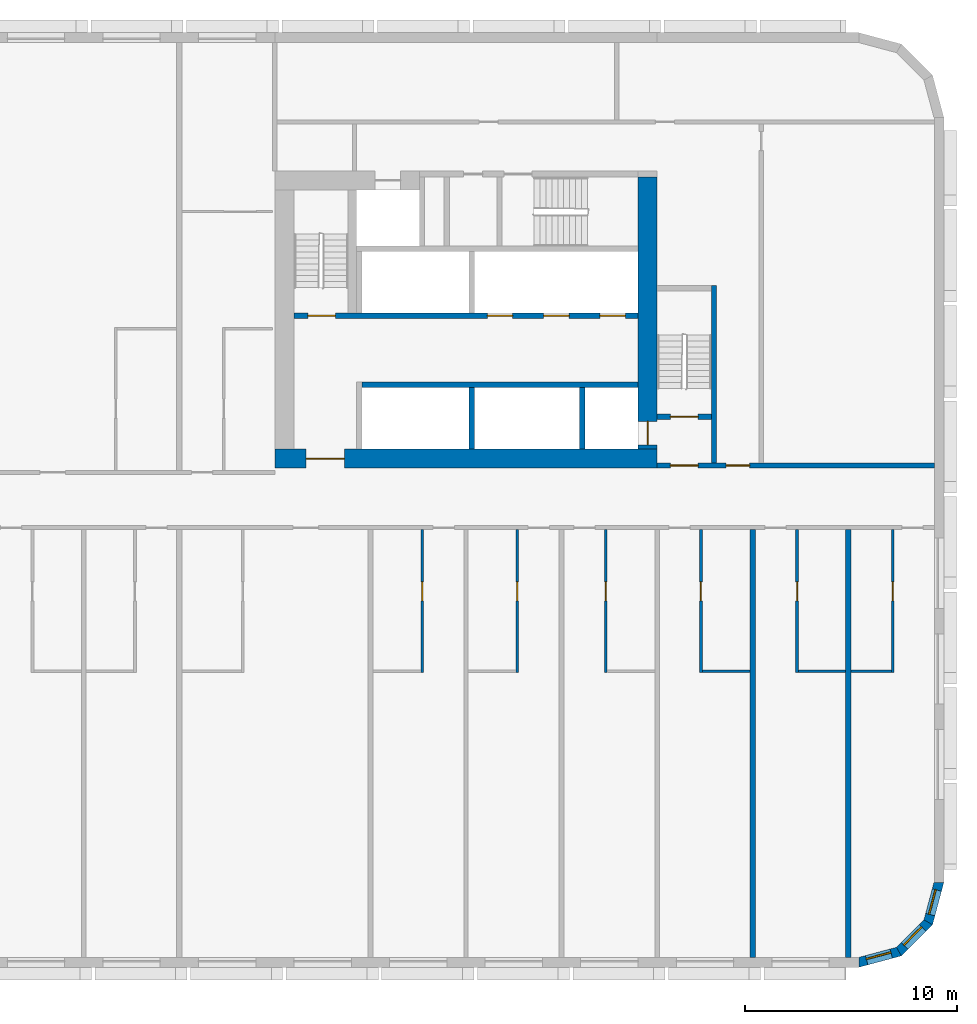
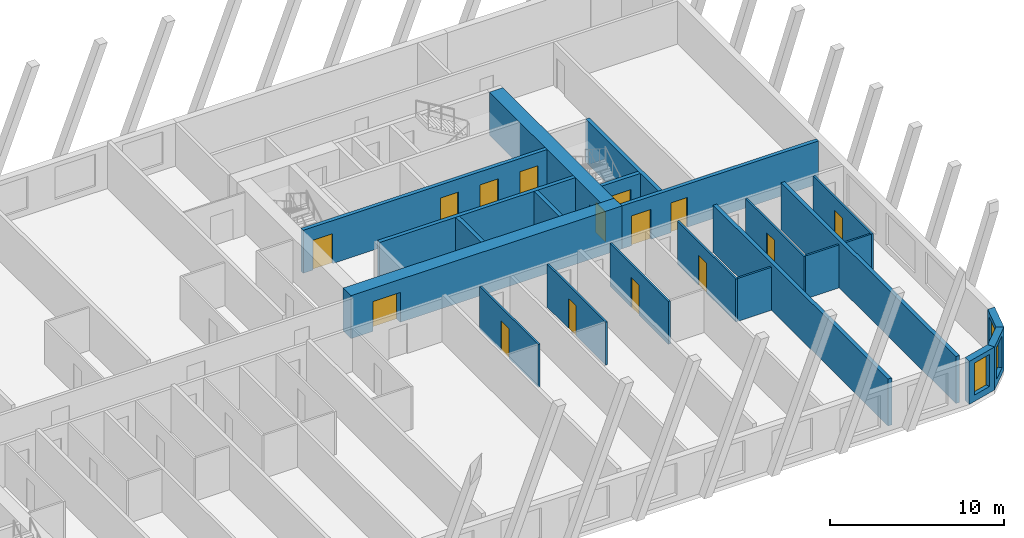
# One storey, part 7 of 13: 23 walls, 15 doors, 3 windows, 18 openings.
"""IFC4 building model written with IfcOpenShell, lengths in metres."""

from ifc_helpers import new_model, si_unit, direction, frame, frame_2d, origin, place, context, subcontext, project, spatial, polyline, rectangle, outline, extrude, material, layer, layer_set, type_object, element, fill, save


model = new_model("IFC4")

# Units and contexts
model_context = context("Model", 3, precision=1e-05, world=origin(), true_north=direction((0.0, 1.0)))
body_context = subcontext(model_context, "Body", "Model", "MODEL_VIEW")
ifc_project = project(units=[si_unit("LENGTHUNIT", "METRE"), si_unit("AREAUNIT", "SQUARE_METRE"), si_unit("VOLUMEUNIT", "CUBIC_METRE"), si_unit("PLANEANGLEUNIT", "RADIAN"), si_unit("MASSUNIT", "GRAM", prefix="KILO")], contexts=[model_context])

# Site, building, storey
site_placement = place(None, origin())
site = spatial("IfcSite", under=ifc_project, at=site_placement, CompositionType="ELEMENT")
building_placement = place(site_placement, origin())
building = spatial("IfcBuilding", under=site, at=building_placement, Name="Kajstack Hotel Tower", CompositionType="ELEMENT")
storey_placement = place(building_placement, frame((0.0, 0.0, 89.699951171875)))
storey = spatial("IfcBuildingStorey", under=building, at=storey_placement, Name="L18", CompositionType="ELEMENT", Elevation=89.699951171875)

# Wall, opening, door
ifc_material_1 = material(Name="Concrete C60/75", Category="concrete")
ifc_layer_1 = layer(ifc_material_1, 0.89990234375)
ifc_layer_set_1 = layer_set([ifc_layer_1], Name="Core wall 900")
wall_type_1 = type_object("IfcWallType", Name="Core wall 900", PredefinedType="SHEAR", material=ifc_layer_set_1)
wall_1_placement = place(storey_placement, frame((13.5, 1.949951171875, 0.0), z_axis=(0.0, 0.0, 1.0), x_axis=(1.0, 0.0, 0.0)))
wall_1 = element("IfcWall", 1, at=wall_1_placement, inside=storey, type_object=wall_type_1, Name="Core wall E RN", PredefinedType="SHEAR", context=body_context, shape_type="SweptSolid", body=[
    extrude(rectangle(XDim=18.0, YDim=0.89990234375, at=frame_2d((9.0, 0.0))), origin(), (0.0, 0.0, 1.0), 3.02001953125),
])
opening_1_placement = place(wall_1_placement, frame((1.47509765625, 0.0, 0.0)))
opening_1 = element("IfcOpeningElement", 2, at=opening_1_placement, cuts=wall_1, Name="Opening 18E06", PredefinedType="OPENING", context=body_context, shape_type="SweptSolid", body=[
    extrude(rectangle(XDim=1.800048828125, YDim=2.10009765625, at=frame_2d((0.89990234375, 1.050048828125))), frame((0.0, 0.4599609375, 0.0), z_axis=(0.0, -1.0, 0.0), x_axis=(1.0, 0.0, 0.0)), (0.0, 0.0, 1.0), 0.919921875),
])
ifc_material_2 = material(Name="Glazed steel frame, fire-rated glass", Category="steel")
door_type_1 = type_object("IfcDoorType", Name="Lobby double door 1800", OperationType="DOUBLE_DOOR_DOUBLE_SWING", PredefinedType="DOOR", material=ifc_material_2)
door_1_placement = place(opening_1_placement, origin())
door_1 = element("IfcDoor", 3, at=door_1_placement, inside=storey, type_object=door_type_1, Name="Door 18E06", OperationType="DOUBLE_DOOR_DOUBLE_SWING", OverallHeight=2.10009765625, OverallWidth=1.800048828125, PredefinedType="DOOR", context=body_context, shape_type="SweptSolid", body=[
    extrude(rectangle(XDim=1.800048828125, YDim=2.10009765625, at=frame_2d((0.89990234375, 1.050048828125))), frame((0.0, 0.02490234375, 0.0), z_axis=(0.0, -1.0, 0.0), x_axis=(1.0, 0.0, 0.0)), (0.0, 0.0, 1.0), 0.050048828125),
])
fill(opening_1, door_1)

wall_2_placement = place(storey_placement, frame((31.050048828125, 2.39990234375, 0.0), z_axis=(0.0, 0.0, 1.0), x_axis=(0.0, 1.0, 0.0)))
wall_2 = element("IfcWall", 4, at=wall_2_placement, inside=storey, type_object=wall_type_1, Name="Core wall E RW", PredefinedType="SHEAR", context=body_context, shape_type="SweptSolid", body=[
    extrude(rectangle(XDim=12.800048828125, YDim=0.89990234375, at=frame_2d((6.39990234375, 0.0))), origin(), (0.0, 0.0, 1.0), 3.02001953125),
])
opening_2_placement = place(wall_2_placement, frame((0.199951171875, 0.0, 0.0)))
opening_2 = element("IfcOpeningElement", 5, at=opening_2_placement, cuts=wall_2, Name="Opening LD-FF2", PredefinedType="OPENING", context=body_context, shape_type="SweptSolid", body=[
    extrude(rectangle(XDim=1.10009765625, YDim=2.10009765625, at=frame_2d((0.550048828125, 1.050048828125))), frame((0.0, 0.4599609375, 0.0), z_axis=(0.0, -1.0, 0.0), x_axis=(1.0, 0.0, 0.0)), (0.0, 0.0, 1.0), 0.919921875),
])
ifc_material_3 = material(Name="Stainless steel", Category="steel")
door_type_2 = type_object("IfcDoorType", Name="Fire-fighting lift landing door 1100", OperationType="SLIDING_TO_LEFT", PredefinedType="DOOR", material=ifc_material_3)
door_2_placement = place(opening_2_placement, origin())
door_2 = element("IfcDoor", 6, at=door_2_placement, inside=storey, type_object=door_type_2, Name="Landing door FF2", OperationType="SLIDING_TO_LEFT", OverallHeight=2.10009765625, OverallWidth=1.10009765625, PredefinedType="DOOR", context=body_context, shape_type="SweptSolid", body=[
    extrude(rectangle(XDim=1.10009765625, YDim=2.10009765625, at=frame_2d((0.550048828125, 1.050048828125))), frame((0.0, 0.02490234375, 0.0), z_axis=(0.0, -1.0, 0.0), x_axis=(1.0, 0.0, 0.0)), (0.0, 0.0, 1.0), 0.050048828125),
])
fill(opening_2, door_2)

# Wall, opening, window
ifc_material_4 = material(Name="Terracotta-faced brick masonry", Category="masonry")
ifc_layer_2 = layer(ifc_material_4, 0.449951171875)
ifc_layer_set_2 = layer_set([ifc_layer_2], Name="EW-TERRA")
wall_type_2 = type_object("IfcWallType", Name="EW-TERRA", PredefinedType="SOLIDWALL", material=ifc_layer_set_2)
wall_3_placement = place(storey_placement, frame((40.941650390625, -21.78271484375, 0.0), z_axis=(0.0, 0.0, 1.0), x_axis=(0.965926999034, 0.25881466832, 0.0)))
wall_3 = element("IfcWall", 7, at=wall_3_placement, inside=storey, type_object=wall_type_2, Name="E-wall-L18-04-00", PredefinedType="SOLIDWALL", context=body_context, shape_type="SweptSolid", body=[
    extrude(outline(polyline([(0.000244140625, -0.22509765625), (2.070556640625, -0.224853515625), (1.9501953125, 0.22509765625), (0.12060546875, 0.22509765625), (0.000244140625, -0.22509765625)])), origin(), (0.0, 0.0, 1.0), 3.02001953125),
])
opening_3_placement = place(wall_3_placement, frame((0.435302734375, 0.0, 0.449951171875)))
opening_3 = element("IfcOpeningElement", 8, at=opening_3_placement, cuts=wall_3, Name="Opening W3", PredefinedType="OPENING", context=body_context, shape_type="SweptSolid", body=[
    extrude(rectangle(XDim=1.199951171875, YDim=2.25, at=frame_2d((0.60009765625, 1.125))), frame((0.0, 0.23486328125, 0.0), z_axis=(0.0, -1.0, 0.0), x_axis=(1.0, 0.0, 0.0)), (0.0, 0.0, 1.0), 0.469970703125),
])
ifc_material_5 = material(Name="Timber-aluminium window, triple glazed", Category="wood")
window_type = type_object("IfcWindowType", Name="WG3", PartitioningType="SINGLE_PANEL", PredefinedType="WINDOW", material=ifc_material_5)
window_1_placement = place(opening_3_placement, origin())
window_1 = element("IfcWindow", 9, at=window_1_placement, inside=storey, type_object=window_type, Name="Window W3 L18-04", OverallHeight=2.25, OverallWidth=1.199951171875, PartitioningType="SINGLE_PANEL", PredefinedType="WINDOW", context=body_context, shape_type="SweptSolid", body=[
    extrude(rectangle(XDim=1.199951171875, YDim=2.25, at=frame_2d((0.60009765625, 1.125))), frame((0.0, 0.090087890625, 0.0), z_axis=(0.0, -1.0, 0.0), x_axis=(1.0, 0.0, 0.0)), (0.0, 0.0, 1.0), 0.06005859375),
])
fill(opening_3, window_1)

wall_4_placement = place(storey_placement, frame((42.8408203125, -21.304931640625, 0.0), z_axis=(0.0, 0.0, 1.0), x_axis=(0.707106781187, 0.707106781187, 0.0)))
wall_4 = element("IfcWall", 10, at=wall_4_placement, inside=storey, type_object=wall_type_2, Name="E-wall-L18-05-00", PredefinedType="SOLIDWALL", context=body_context, shape_type="SweptSolid", body=[
    extrude(outline(polyline([(0.0, -0.22509765625), (2.070556640625, -0.22509765625), (1.949951171875, 0.224853515625), (0.12060546875, 0.224853515625), (0.0, -0.22509765625)])), origin(), (0.0, 0.0, 1.0), 3.02001953125),
])
opening_4_placement = place(wall_4_placement, frame((0.435302734375, 0.0, 0.449951171875)))
opening_4 = element("IfcOpeningElement", 11, at=opening_4_placement, cuts=wall_4, Name="Opening W3", PredefinedType="OPENING", context=body_context, shape_type="SweptSolid", body=[
    extrude(rectangle(XDim=1.199951171875, YDim=2.25, at=frame_2d((0.60009765625, 1.125))), frame((0.0, 0.23486328125, 0.0), z_axis=(0.0, -1.0, 0.0), x_axis=(1.0, 0.0, 0.0)), (0.0, 0.0, 1.0), 0.469970703125),
])
window_2_placement = place(opening_4_placement, origin())
window_2 = element("IfcWindow", 12, at=window_2_placement, inside=storey, type_object=window_type, Name="Window W3 L18-05", OverallHeight=2.25, OverallWidth=1.199951171875, PartitioningType="SINGLE_PANEL", PredefinedType="WINDOW", context=body_context, shape_type="SweptSolid", body=[
    extrude(rectangle(XDim=1.199951171875, YDim=2.25, at=frame_2d((0.60009765625, 1.125))), frame((0.0, 0.090087890625, 0.0), z_axis=(0.0, -1.0, 0.0), x_axis=(1.0, 0.0, 0.0)), (0.0, 0.0, 1.0), 0.06005859375),
])
fill(opening_4, window_2)

wall_5_placement = place(storey_placement, frame((44.246826171875, -19.941650390625, 0.0), z_axis=(0.0, 0.0, 1.0), x_axis=(0.25881466832, 0.965926999034, 0.0)))
wall_5 = element("IfcWall", 13, at=wall_5_placement, inside=storey, type_object=wall_type_2, Name="E-wall-L18-06-00", PredefinedType="SOLIDWALL", context=body_context, shape_type="SweptSolid", body=[
    extrude(outline(polyline([(-0.000244140625, -0.224853515625), (2.0703125, -0.22509765625), (1.949951171875, 0.22509765625), (0.120361328125, 0.22509765625), (-0.000244140625, -0.224853515625)])), origin(), (0.0, 0.0, 1.0), 3.02001953125),
])
opening_5_placement = place(wall_5_placement, frame((0.435302734375, 0.0, 0.449951171875)))
opening_5 = element("IfcOpeningElement", 14, at=opening_5_placement, cuts=wall_5, Name="Opening W3", PredefinedType="OPENING", context=body_context, shape_type="SweptSolid", body=[
    extrude(rectangle(XDim=1.199951171875, YDim=2.25, at=frame_2d((0.60009765625, 1.125))), frame((0.0, 0.23486328125, 0.0), z_axis=(0.0, -1.0, 0.0), x_axis=(1.0, 0.0, 0.0)), (0.0, 0.0, 1.0), 0.469970703125),
])
window_3_placement = place(opening_5_placement, origin())
window_3 = element("IfcWindow", 15, at=window_3_placement, inside=storey, type_object=window_type, Name="Window W3 L18-06", OverallHeight=2.25, OverallWidth=1.199951171875, PartitioningType="SINGLE_PANEL", PredefinedType="WINDOW", context=body_context, shape_type="SweptSolid", body=[
    extrude(rectangle(XDim=1.199951171875, YDim=2.25, at=frame_2d((0.60009765625, 1.125))), frame((0.0, 0.090087890625, 0.0), z_axis=(0.0, -1.0, 0.0), x_axis=(1.0, 0.0, 0.0)), (0.0, 0.0, 1.0), 0.06005859375),
])
fill(opening_5, window_3)

# Wall, opening, door
ifc_material_6 = material(Name="Gypsum board and tiled backer on steel studs", Category="steel")
ifc_layer_3 = layer(ifc_material_6, 0.125)
ifc_layer_set_3 = layer_set([ifc_layer_3], Name="En-suite wall 125")
wall_type_3 = type_object("IfcWallType", Name="En-suite wall 125", PredefinedType="PARTITIONING", material=ifc_layer_set_3)
wall_6_placement = place(storey_placement, frame((20.43798828125, -8.125, 0.0), z_axis=(0.0, 0.0, 1.0), x_axis=(0.0, 1.0, 0.0)))
wall_6 = element("IfcWall", 16, at=wall_6_placement, inside=storey, type_object=wall_type_3, Name="G-wall-L18-041", PredefinedType="PARTITIONING", context=body_context, shape_type="SweptSolid", body=[
    extrude(rectangle(XDim=6.72509765625, YDim=0.125, at=frame_2d((3.362548828125, 0.0))), origin(), (0.0, 0.0, 1.0), 3.02001953125),
])
opening_6_placement = place(wall_6_placement, frame((3.375, 0.0, 0.0)))
opening_6 = element("IfcOpeningElement", 17, at=opening_6_placement, cuts=wall_6, Name="Opening 18034", PredefinedType="OPENING", context=body_context, shape_type="SweptSolid", body=[
    extrude(rectangle(XDim=0.89990234375, YDim=2.10009765625, at=frame_2d((0.449951171875, 1.050048828125))), frame((0.0, 0.072509765625, 0.0), z_axis=(0.0, -1.0, 0.0), x_axis=(1.0, 0.0, 0.0)), (0.0, 0.0, 1.0), 0.14501953125),
])
ifc_material_7 = material(Name="Painted timber door leaf", Category="wood")
door_type_3 = type_object("IfcDoorType", Name="Room door 900", OperationType="SINGLE_SWING_LEFT", PredefinedType="DOOR", material=ifc_material_7)
door_3_placement = place(opening_6_placement, origin())
door_3 = element("IfcDoor", 18, at=door_3_placement, inside=storey, type_object=door_type_3, Name="G-door-L18-34", OperationType="SINGLE_SWING_RIGHT", OverallHeight=2.10009765625, OverallWidth=0.89990234375, PredefinedType="DOOR", context=body_context, shape_type="SweptSolid", body=[
    extrude(rectangle(XDim=0.89990234375, YDim=2.10009765625, at=frame_2d((0.449951171875, 1.050048828125))), frame((0.0, 0.02490234375, 0.0), z_axis=(0.0, -1.0, 0.0), x_axis=(1.0, 0.0, 0.0)), (0.0, 0.0, 1.0), 0.050048828125),
])
fill(opening_6, door_3)

wall_7_placement = place(storey_placement, frame((24.9130859375, -8.125, 0.0), z_axis=(0.0, 0.0, 1.0), x_axis=(0.0, 1.0, 0.0)))
wall_7 = element("IfcWall", 19, at=wall_7_placement, inside=storey, type_object=wall_type_3, Name="G-wall-L18-043", PredefinedType="PARTITIONING", context=body_context, shape_type="SweptSolid", body=[
    extrude(rectangle(XDim=6.72509765625, YDim=0.125, at=frame_2d((3.362548828125, 0.0))), origin(), (0.0, 0.0, 1.0), 3.02001953125),
])
opening_7_placement = place(wall_7_placement, frame((3.375, 0.0, 0.0)))
opening_7 = element("IfcOpeningElement", 20, at=opening_7_placement, cuts=wall_7, Name="Opening 18036", PredefinedType="OPENING", context=body_context, shape_type="SweptSolid", body=[
    extrude(rectangle(XDim=0.89990234375, YDim=2.10009765625, at=frame_2d((0.449951171875, 1.050048828125))), frame((0.0, 0.072509765625, 0.0), z_axis=(0.0, -1.0, 0.0), x_axis=(1.0, 0.0, 0.0)), (0.0, 0.0, 1.0), 0.14501953125),
])
door_4_placement = place(opening_7_placement, origin())
door_4 = element("IfcDoor", 21, at=door_4_placement, inside=storey, type_object=door_type_3, Name="G-door-L18-36", OperationType="SINGLE_SWING_LEFT", OverallHeight=2.10009765625, OverallWidth=0.89990234375, PredefinedType="DOOR", context=body_context, shape_type="SweptSolid", body=[
    extrude(rectangle(XDim=0.89990234375, YDim=2.10009765625, at=frame_2d((0.449951171875, 1.050048828125))), frame((0.0, 0.02490234375, 0.0), z_axis=(0.0, -1.0, 0.0), x_axis=(1.0, 0.0, 0.0)), (0.0, 0.0, 1.0), 0.050048828125),
])
fill(opening_7, door_4)

wall_8_placement = place(storey_placement, frame((29.0869140625, -8.125, 0.0), z_axis=(0.0, 0.0, 1.0), x_axis=(0.0, 1.0, 0.0)))
wall_8 = element("IfcWall", 22, at=wall_8_placement, inside=storey, type_object=wall_type_3, Name="G-wall-L18-046", PredefinedType="PARTITIONING", context=body_context, shape_type="SweptSolid", body=[
    extrude(rectangle(XDim=6.72509765625, YDim=0.125, at=frame_2d((3.362548828125, 0.0))), origin(), (0.0, 0.0, 1.0), 3.02001953125),
])
opening_8_placement = place(wall_8_placement, frame((3.375, 0.0, 0.0)))
opening_8 = element("IfcOpeningElement", 23, at=opening_8_placement, cuts=wall_8, Name="Opening 18038", PredefinedType="OPENING", context=body_context, shape_type="SweptSolid", body=[
    extrude(rectangle(XDim=0.89990234375, YDim=2.10009765625, at=frame_2d((0.449951171875, 1.050048828125))), frame((0.0, 0.072509765625, 0.0), z_axis=(0.0, -1.0, 0.0), x_axis=(1.0, 0.0, 0.0)), (0.0, 0.0, 1.0), 0.14501953125),
])
door_5_placement = place(opening_8_placement, origin())
door_5 = element("IfcDoor", 24, at=door_5_placement, inside=storey, type_object=door_type_3, Name="G-door-L18-38", OperationType="SINGLE_SWING_LEFT", OverallHeight=2.10009765625, OverallWidth=0.89990234375, PredefinedType="DOOR", context=body_context, shape_type="SweptSolid", body=[
    extrude(rectangle(XDim=0.89990234375, YDim=2.10009765625, at=frame_2d((0.449951171875, 1.050048828125))), frame((0.0, 0.02490234375, 0.0), z_axis=(0.0, -1.0, 0.0), x_axis=(1.0, 0.0, 0.0)), (0.0, 0.0, 1.0), 0.050048828125),
])
fill(opening_8, door_5)

wall_9_placement = place(storey_placement, frame((33.56201171875, -8.125, 0.0), z_axis=(0.0, 0.0, 1.0), x_axis=(0.0, 1.0, 0.0)))
wall_9 = element("IfcWall", 25, at=wall_9_placement, inside=storey, type_object=wall_type_3, Name="G-wall-L18-048", PredefinedType="PARTITIONING", context=body_context, shape_type="SweptSolid", body=[
    extrude(rectangle(XDim=6.72509765625, YDim=0.125, at=frame_2d((3.362548828125, 0.0))), origin(), (0.0, 0.0, 1.0), 3.02001953125),
])
opening_9_placement = place(wall_9_placement, frame((3.375, 0.0, 0.0)))
opening_9 = element("IfcOpeningElement", 26, at=opening_9_placement, cuts=wall_9, Name="Opening 18040", PredefinedType="OPENING", context=body_context, shape_type="SweptSolid", body=[
    extrude(rectangle(XDim=0.89990234375, YDim=2.10009765625, at=frame_2d((0.449951171875, 1.050048828125))), frame((0.0, 0.072509765625, 0.0), z_axis=(0.0, -1.0, 0.0), x_axis=(1.0, 0.0, 0.0)), (0.0, 0.0, 1.0), 0.14501953125),
])
door_6_placement = place(opening_9_placement, origin())
door_6 = element("IfcDoor", 27, at=door_6_placement, inside=storey, type_object=door_type_3, Name="G-door-L18-40", OperationType="SINGLE_SWING_RIGHT", OverallHeight=2.10009765625, OverallWidth=0.89990234375, PredefinedType="DOOR", context=body_context, shape_type="SweptSolid", body=[
    extrude(rectangle(XDim=0.89990234375, YDim=2.10009765625, at=frame_2d((0.449951171875, 1.050048828125))), frame((0.0, 0.02490234375, 0.0), z_axis=(0.0, -1.0, 0.0), x_axis=(1.0, 0.0, 0.0)), (0.0, 0.0, 1.0), 0.050048828125),
])
fill(opening_9, door_6)

# Wall
wall_10_placement = place(storey_placement, frame((33.625, -8.06201171875, 0.0), z_axis=(0.0, 0.0, 1.0), x_axis=(1.0, 0.0, 0.0)))
element("IfcWall", 28, at=wall_10_placement, inside=storey, type_object=wall_type_3, Name="G-wall-L18-049", PredefinedType="PARTITIONING", context=body_context, shape_type="SweptSolid", body=[
    extrude(rectangle(XDim=2.25, YDim=0.125, at=frame_2d((1.125, 0.0))), origin(), (0.0, 0.0, 1.0), 3.02001953125),
])

# Wall, opening, door
wall_11_placement = place(storey_placement, frame((38.0869140625, -8.125, 0.0), z_axis=(0.0, 0.0, 1.0), x_axis=(0.0, 1.0, 0.0)))
wall_11 = element("IfcWall", 29, at=wall_11_placement, inside=storey, type_object=wall_type_3, Name="G-wall-L18-050", PredefinedType="PARTITIONING", context=body_context, shape_type="SweptSolid", body=[
    extrude(rectangle(XDim=6.72509765625, YDim=0.125, at=frame_2d((3.362548828125, 0.0))), origin(), (0.0, 0.0, 1.0), 3.02001953125),
])
opening_10_placement = place(wall_11_placement, frame((3.375, 0.0, 0.0)))
opening_10 = element("IfcOpeningElement", 30, at=opening_10_placement, cuts=wall_11, Name="Opening 18042", PredefinedType="OPENING", context=body_context, shape_type="SweptSolid", body=[
    extrude(rectangle(XDim=0.89990234375, YDim=2.10009765625, at=frame_2d((0.449951171875, 1.050048828125))), frame((0.0, 0.072509765625, 0.0), z_axis=(0.0, -1.0, 0.0), x_axis=(1.0, 0.0, 0.0)), (0.0, 0.0, 1.0), 0.14501953125),
])
door_7_placement = place(opening_10_placement, origin())
door_7 = element("IfcDoor", 31, at=door_7_placement, inside=storey, type_object=door_type_3, Name="G-door-L18-42", OperationType="SINGLE_SWING_RIGHT", OverallHeight=2.10009765625, OverallWidth=0.89990234375, PredefinedType="DOOR", context=body_context, shape_type="SweptSolid", body=[
    extrude(rectangle(XDim=0.89990234375, YDim=2.10009765625, at=frame_2d((0.449951171875, 1.050048828125))), frame((0.0, 0.02490234375, 0.0), z_axis=(0.0, -1.0, 0.0), x_axis=(1.0, 0.0, 0.0)), (0.0, 0.0, 1.0), 0.050048828125),
])
fill(opening_10, door_7)

# Wall
wall_12_placement = place(storey_placement, frame((38.14990234375, -8.06201171875, 0.0), z_axis=(0.0, 0.0, 1.0), x_axis=(1.0, 0.0, 0.0)))
element("IfcWall", 32, at=wall_12_placement, inside=storey, type_object=wall_type_3, Name="G-wall-L18-051", PredefinedType="PARTITIONING", context=body_context, shape_type="SweptSolid", body=[
    extrude(rectangle(XDim=2.22509765625, YDim=0.125, at=frame_2d((1.112548828125, 0.0))), origin(), (0.0, 0.0, 1.0), 3.02001953125),
])

# Wall, opening, door
wall_13_placement = place(storey_placement, frame((42.5869140625, -8.125, 0.0), z_axis=(0.0, 0.0, 1.0), x_axis=(0.0, 1.0, 0.0)))
wall_13 = element("IfcWall", 33, at=wall_13_placement, inside=storey, type_object=wall_type_3, Name="G-wall-L18-052", PredefinedType="PARTITIONING", context=body_context, shape_type="SweptSolid", body=[
    extrude(rectangle(XDim=6.72509765625, YDim=0.125, at=frame_2d((3.362548828125, 0.0))), origin(), (0.0, 0.0, 1.0), 3.02001953125),
])
opening_11_placement = place(wall_13_placement, frame((3.375, 0.0, 0.0)))
opening_11 = element("IfcOpeningElement", 34, at=opening_11_placement, cuts=wall_13, Name="Opening 18044", PredefinedType="OPENING", context=body_context, shape_type="SweptSolid", body=[
    extrude(rectangle(XDim=0.89990234375, YDim=2.10009765625, at=frame_2d((0.449951171875, 1.050048828125))), frame((0.0, 0.072509765625, 0.0), z_axis=(0.0, -1.0, 0.0), x_axis=(1.0, 0.0, 0.0)), (0.0, 0.0, 1.0), 0.14501953125),
])
door_8_placement = place(opening_11_placement, origin())
door_8 = element("IfcDoor", 35, at=door_8_placement, inside=storey, type_object=door_type_3, Name="G-door-L18-44", OperationType="SINGLE_SWING_RIGHT", OverallHeight=2.10009765625, OverallWidth=0.89990234375, PredefinedType="DOOR", context=body_context, shape_type="SweptSolid", body=[
    extrude(rectangle(XDim=0.89990234375, YDim=2.10009765625, at=frame_2d((0.449951171875, 1.050048828125))), frame((0.0, 0.02490234375, 0.0), z_axis=(0.0, -1.0, 0.0), x_axis=(1.0, 0.0, 0.0)), (0.0, 0.0, 1.0), 0.050048828125),
])
fill(opening_11, door_8)

# Walls
wall_14_placement = place(storey_placement, frame((40.625, -8.06201171875, 0.0), z_axis=(0.0, 0.0, 1.0), x_axis=(1.0, 0.0, 0.0)))
element("IfcWall", 36, at=wall_14_placement, inside=storey, type_object=wall_type_3, Name="G-wall-L18-053", PredefinedType="PARTITIONING", context=body_context, shape_type="SweptSolid", body=[
    extrude(rectangle(XDim=1.89990234375, YDim=0.125, at=frame_2d((0.949951171875, 0.0))), origin(), (0.0, 0.0, 1.0), 3.02001953125),
])
ifc_material_8 = material(Name="Concrete C50/60", Category="concrete")
ifc_layer_4 = layer(ifc_material_8, 0.300048828125)
ifc_layer_set_4 = layer_set([ifc_layer_4], Name="Hoistway divider wall 300")
wall_type_4 = type_object("IfcWallType", Name="Hoistway divider wall 300", PredefinedType="SHEAR", material=ifc_layer_set_4)
wall_15_placement = place(storey_placement, frame((22.77490234375, 2.39990234375, 0.0), z_axis=(0.0, 0.0, 1.0), x_axis=(0.0, 1.0, 0.0)))
element("IfcWall", 37, at=wall_15_placement, inside=storey, type_object=wall_type_4, Name="Core wall E AP2", PredefinedType="SHEAR", context=body_context, shape_type="SweptSolid", body=[
    extrude(rectangle(XDim=2.900146484375, YDim=0.25, at=frame_2d((1.4501953125, 0.0))), origin(), (0.0, 0.0, 1.0), 3.02001953125),
])
ifc_layer_5 = layer(ifc_material_1, 0.25)
ifc_layer_set_5 = layer_set([ifc_layer_5], Name="RC cross wall 250 C60/75")
wall_type_5 = type_object("IfcWallType", Name="RC cross wall 250 C60/75", PredefinedType="SHEAR", material=ifc_layer_set_5)
for number, where, z_axis, x_axis, name in (
    (38, (36.0, -21.5400390625, 0.0), (0.0, 0.0, 1.0), (0.0, 1.0, 0.0), "S-wall-L18-13"),
    (39, (40.5, -21.5400390625, 0.0), (0.0, 0.0, 1.0), (0.0, 1.0, 0.0), "S-wall-L18-14"),
):
    element("IfcWall", number, at=place(storey_placement, frame(where, z_axis=z_axis, x_axis=x_axis)), inside=storey, type_object=wall_type_5, Name=name, PredefinedType="SHEAR", context=body_context, shape_type="SweptSolid", body=[
        extrude(rectangle(XDim=20.14013671875, YDim=0.25, at=frame_2d((10.070068359375, 0.0))), origin(), (0.0, 0.0, 1.0), 3.300048828125),
    ])

# Wall, openings, doors
ifc_material_9 = material(Name="Gypsum board on steel studs, mineral wool", Category="steel")
ifc_layer_6 = layer(ifc_material_9, 0.199951171875)
ifc_layer_set_6 = layer_set([ifc_layer_6], Name="Service partition 200")
wall_type_6 = type_object("IfcWallType", Name="Service partition 200", PredefinedType="PARTITIONING", material=ifc_layer_set_6)
wall_16_placement = place(storey_placement, frame((31.5, 1.625, 0.0), z_axis=(0.0, 0.0, 1.0), x_axis=(1.0, 0.0, 0.0)))
wall_16 = element("IfcWall", 40, at=wall_16_placement, inside=storey, type_object=wall_type_6, Name="Partition E SN", PredefinedType="PARTITIONING", context=body_context, shape_type="SweptSolid", body=[
    extrude(rectangle(XDim=13.050048828125, YDim=0.25, at=frame_2d((6.52490234375, 0.0))), origin(), (0.0, 0.0, 1.0), 3.02001953125),
])
opening_12_placement = place(wall_16_placement, frame((0.625, 0.0, 0.0)))
opening_12 = element("IfcOpeningElement", 41, at=opening_12_placement, cuts=wall_16, Name="Opening 18E07", PredefinedType="OPENING", context=body_context, shape_type="SweptSolid", body=[
    extrude(rectangle(XDim=1.300048828125, YDim=2.10009765625, at=frame_2d((0.64990234375, 1.050048828125))), frame((0.0, 0.135009765625, 0.0), z_axis=(0.0, -1.0, 0.0), x_axis=(1.0, 0.0, 0.0)), (0.0, 0.0, 1.0), 0.27001953125),
])
opening_13_placement = place(wall_16_placement, frame((3.25, 0.0, 0.0)))
opening_13 = element("IfcOpeningElement", 42, at=opening_13_placement, cuts=wall_16, Name="Opening 18E09", PredefinedType="OPENING", context=body_context, shape_type="SweptSolid", body=[
    extrude(rectangle(XDim=1.10009765625, YDim=2.10009765625, at=frame_2d((0.550048828125, 1.050048828125))), frame((0.0, 0.135009765625, 0.0), z_axis=(0.0, -1.0, 0.0), x_axis=(1.0, 0.0, 0.0)), (0.0, 0.0, 1.0), 0.27001953125),
])
ifc_material_10 = material(Name="Steel leaf, fire-rated", Category="steel")
door_type_4 = type_object("IfcDoorType", Name="Fire lobby door 1300", OperationType="SINGLE_SWING_LEFT", PredefinedType="DOOR", material=ifc_material_10)
door_9_placement = place(opening_12_placement, origin())
door_9 = element("IfcDoor", 43, at=door_9_placement, inside=storey, type_object=door_type_4, Name="Door 18E07", OperationType="SINGLE_SWING_LEFT", OverallHeight=2.10009765625, OverallWidth=1.300048828125, PredefinedType="DOOR", context=body_context, shape_type="SweptSolid", body=[
    extrude(rectangle(XDim=1.300048828125, YDim=2.10009765625, at=frame_2d((0.64990234375, 1.050048828125))), frame((0.0, 0.02490234375, 0.0), z_axis=(0.0, -1.0, 0.0), x_axis=(1.0, 0.0, 0.0)), (0.0, 0.0, 1.0), 0.050048828125),
])
fill(opening_12, door_9)
ifc_material_11 = material(Name="Timber leaf, fire-rated", Category="wood")
door_type_5 = type_object("IfcDoorType", Name="Service corridor door 1100", OperationType="SINGLE_SWING_LEFT", PredefinedType="DOOR", material=ifc_material_11)
door_10_placement = place(opening_13_placement, origin())
door_10 = element("IfcDoor", 44, at=door_10_placement, inside=storey, type_object=door_type_5, Name="Door 18E09", OperationType="SINGLE_SWING_LEFT", OverallHeight=2.10009765625, OverallWidth=1.10009765625, PredefinedType="DOOR", context=body_context, shape_type="SweptSolid", body=[
    extrude(rectangle(XDim=1.10009765625, YDim=2.10009765625, at=frame_2d((0.550048828125, 1.050048828125))), frame((0.0, 0.02490234375, 0.0), z_axis=(0.0, -1.0, 0.0), x_axis=(1.0, 0.0, 0.0)), (0.0, 0.0, 1.0), 0.050048828125),
])
fill(opening_13, door_10)

# Walls
ifc_layer_7 = layer(ifc_material_8, 0.25)
ifc_layer_set_7 = layer_set([ifc_layer_7], Name="Shaft wall 250")
wall_type_7 = type_object("IfcWallType", Name="Shaft wall 250", PredefinedType="SHEAR", material=ifc_layer_set_7)
wall_17_placement = place(storey_placement, frame((17.60009765625, 5.425048828125, 0.0), z_axis=(0.0, 0.0, 1.0), x_axis=(1.0, 0.0, 0.0)))
element("IfcWall", 45, at=wall_17_placement, inside=storey, type_object=wall_type_7, Name="Core wall E FA", PredefinedType="SHEAR", context=body_context, shape_type="SweptSolid", body=[
    extrude(rectangle(XDim=13.0, YDim=0.25, at=frame_2d((6.5, 0.0))), origin(), (0.0, 0.0, 1.0), 3.02001953125),
])
wall_18_placement = place(storey_placement, frame((27.97509765625, 2.39990234375, 0.0), z_axis=(0.0, 0.0, 1.0), x_axis=(0.0, 1.0, 0.0)))
element("IfcWall", 46, at=wall_18_placement, inside=storey, type_object=wall_type_7, Name="Core wall E AP0", PredefinedType="SHEAR", context=body_context, shape_type="SweptSolid", body=[
    extrude(rectangle(XDim=2.900146484375, YDim=0.25, at=frame_2d((1.4501953125, 0.0))), origin(), (0.0, 0.0, 1.0), 3.02001953125),
])

# Wall, openings, doors
wall_19_placement = place(storey_placement, frame((14.39990234375, 8.675048828125, 0.0), z_axis=(0.0, 0.0, 1.0), x_axis=(1.0, 0.0, 0.0)))
wall_19 = element("IfcWall", 47, at=wall_19_placement, inside=storey, type_object=wall_type_7, Name="Core wall E FB", PredefinedType="SHEAR", context=body_context, shape_type="SweptSolid", body=[
    extrude(rectangle(XDim=16.2001953125, YDim=0.25, at=frame_2d((8.10009765625, 0.0))), origin(), (0.0, 0.0, 1.0), 3.02001953125),
])
opening_14_placement = place(wall_19_placement, frame((14.39990234375, 0.0, 0.0)))
opening_14 = element("IfcOpeningElement", 48, at=opening_14_placement, cuts=wall_19, Name="Opening LD-LR4", PredefinedType="OPENING", context=body_context, shape_type="SweptSolid", body=[
    extrude(rectangle(XDim=1.199951171875, YDim=2.10009765625, at=frame_2d((0.60009765625, 1.050048828125))), frame((0.0, 0.135009765625, 0.0), z_axis=(0.0, -1.0, 0.0), x_axis=(1.0, 0.0, 0.0)), (0.0, 0.0, 1.0), 0.27001953125),
])
opening_15_placement = place(wall_19_placement, frame((11.75, 0.0, 0.0)))
opening_15 = element("IfcOpeningElement", 49, at=opening_15_placement, cuts=wall_19, Name="Opening LD-LR5", PredefinedType="OPENING", context=body_context, shape_type="SweptSolid", body=[
    extrude(rectangle(XDim=1.199951171875, YDim=2.10009765625, at=frame_2d((0.60009765625, 1.050048828125))), frame((0.0, 0.135009765625, 0.0), z_axis=(0.0, -1.0, 0.0), x_axis=(1.0, 0.0, 0.0)), (0.0, 0.0, 1.0), 0.27001953125),
])
opening_16_placement = place(wall_19_placement, frame((9.10009765625, 0.0, 0.0)))
opening_16 = element("IfcOpeningElement", 50, at=opening_16_placement, cuts=wall_19, Name="Opening LD-LR6", PredefinedType="OPENING", context=body_context, shape_type="SweptSolid", body=[
    extrude(rectangle(XDim=1.199951171875, YDim=2.10009765625, at=frame_2d((0.60009765625, 1.050048828125))), frame((0.0, 0.135009765625, 0.0), z_axis=(0.0, -1.0, 0.0), x_axis=(1.0, 0.0, 0.0)), (0.0, 0.0, 1.0), 0.27001953125),
])
opening_17_placement = place(wall_19_placement, frame((0.64990234375, 0.0, 0.0)))
opening_17 = element("IfcOpeningElement", 51, at=opening_17_placement, cuts=wall_19, Name="Opening 18E10", PredefinedType="OPENING", context=body_context, shape_type="SweptSolid", body=[
    extrude(rectangle(XDim=1.300048828125, YDim=2.10009765625, at=frame_2d((0.64990234375, 1.050048828125))), frame((0.0, 0.135009765625, 0.0), z_axis=(0.0, -1.0, 0.0), x_axis=(1.0, 0.0, 0.0)), (0.0, 0.0, 1.0), 0.27001953125),
])
door_type_6 = type_object("IfcDoorType", Name="Lift landing door 1200", OperationType="SLIDING_TO_LEFT", PredefinedType="DOOR", material=ifc_material_3)
door_11_placement = place(opening_14_placement, origin())
door_11 = element("IfcDoor", 52, at=door_11_placement, inside=storey, type_object=door_type_6, Name="Landing door LR4", OperationType="SLIDING_TO_LEFT", OverallHeight=2.10009765625, OverallWidth=1.199951171875, PredefinedType="DOOR", context=body_context, shape_type="SweptSolid", body=[
    extrude(rectangle(XDim=1.199951171875, YDim=2.10009765625, at=frame_2d((0.60009765625, 1.050048828125))), frame((0.0, 0.02490234375, 0.0), z_axis=(0.0, -1.0, 0.0), x_axis=(1.0, 0.0, 0.0)), (0.0, 0.0, 1.0), 0.050048828125),
])
fill(opening_14, door_11)
door_12_placement = place(opening_15_placement, origin())
door_12 = element("IfcDoor", 53, at=door_12_placement, inside=storey, type_object=door_type_6, Name="Landing door LR5", OperationType="SLIDING_TO_RIGHT", OverallHeight=2.10009765625, OverallWidth=1.199951171875, PredefinedType="DOOR", context=body_context, shape_type="SweptSolid", body=[
    extrude(rectangle(XDim=1.199951171875, YDim=2.10009765625, at=frame_2d((0.60009765625, 1.050048828125))), frame((0.0, 0.02490234375, 0.0), z_axis=(0.0, -1.0, 0.0), x_axis=(1.0, 0.0, 0.0)), (0.0, 0.0, 1.0), 0.050048828125),
])
fill(opening_15, door_12)
door_13_placement = place(opening_16_placement, origin())
door_13 = element("IfcDoor", 54, at=door_13_placement, inside=storey, type_object=door_type_6, Name="Landing door LR6", OperationType="SLIDING_TO_RIGHT", OverallHeight=2.10009765625, OverallWidth=1.199951171875, PredefinedType="DOOR", context=body_context, shape_type="SweptSolid", body=[
    extrude(rectangle(XDim=1.199951171875, YDim=2.10009765625, at=frame_2d((0.60009765625, 1.050048828125))), frame((0.0, 0.02490234375, 0.0), z_axis=(0.0, -1.0, 0.0), x_axis=(1.0, 0.0, 0.0)), (0.0, 0.0, 1.0), 0.050048828125),
])
fill(opening_16, door_13)
door_type_7 = type_object("IfcDoorType", Name="Stair door 1300", OperationType="SINGLE_SWING_LEFT", PredefinedType="DOOR", material=ifc_material_10)
door_14_placement = place(opening_17_placement, origin())
door_14 = element("IfcDoor", 55, at=door_14_placement, inside=storey, type_object=door_type_7, Name="Door 18E10", OperationType="SINGLE_SWING_LEFT", OverallHeight=2.10009765625, OverallWidth=1.300048828125, PredefinedType="DOOR", context=body_context, shape_type="SweptSolid", body=[
    extrude(rectangle(XDim=1.300048828125, YDim=2.10009765625, at=frame_2d((0.64990234375, 1.050048828125))), frame((0.0, 0.02490234375, 0.0), z_axis=(0.0, -1.0, 0.0), x_axis=(1.0, 0.0, 0.0)), (0.0, 0.0, 1.0), 0.050048828125),
])
fill(opening_17, door_14)

# Wall, opening, door
ifc_material_12 = material(Name="Concrete C40/50", Category="concrete")
ifc_layer_8 = layer(ifc_material_12, 0.25)
ifc_layer_set_8 = layer_set([ifc_layer_8], Name="Stair enclosure wall 250")
wall_type_8 = type_object("IfcWallType", Name="Stair enclosure wall 250", PredefinedType="SHEAR", material=ifc_layer_set_8)
wall_20_placement = place(storey_placement, frame((31.5, 3.925048828125, 0.0), z_axis=(0.0, 0.0, 1.0), x_axis=(1.0, 0.0, 0.0)))
wall_20 = element("IfcWall", 56, at=wall_20_placement, inside=storey, type_object=wall_type_8, Name="Core wall E W1N", PredefinedType="SHEAR", context=body_context, shape_type="SweptSolid", body=[
    extrude(rectangle(XDim=2.550048828125, YDim=0.25, at=frame_2d((1.27490234375, 0.0))), origin(), (0.0, 0.0, 1.0), 3.02001953125),
])
opening_18_placement = place(wall_20_placement, frame((0.625, 0.0, 0.0)))
opening_18 = element("IfcOpeningElement", 57, at=opening_18_placement, cuts=wall_20, Name="Opening 18E08", PredefinedType="OPENING", context=body_context, shape_type="SweptSolid", body=[
    extrude(rectangle(XDim=1.300048828125, YDim=2.10009765625, at=frame_2d((0.64990234375, 1.050048828125))), frame((0.0, 0.135009765625, 0.0), z_axis=(0.0, -1.0, 0.0), x_axis=(1.0, 0.0, 0.0)), (0.0, 0.0, 1.0), 0.27001953125),
])
door_15_placement = place(opening_18_placement, origin())
door_15 = element("IfcDoor", 58, at=door_15_placement, inside=storey, type_object=door_type_7, Name="Door 18E08", OperationType="SINGLE_SWING_LEFT", OverallHeight=2.10009765625, OverallWidth=1.300048828125, PredefinedType="DOOR", context=body_context, shape_type="SweptSolid", body=[
    extrude(rectangle(XDim=1.300048828125, YDim=2.10009765625, at=frame_2d((0.64990234375, 1.050048828125))), frame((0.0, 0.02490234375, 0.0), z_axis=(0.0, -1.0, 0.0), x_axis=(1.0, 0.0, 0.0)), (0.0, 0.0, 1.0), 0.050048828125),
])
fill(opening_18, door_15)

# Wall
wall_21_placement = place(storey_placement, frame((34.175048828125, 1.75, 0.0), z_axis=(0.0, 0.0, 1.0), x_axis=(0.0, 1.0, 0.0)))
element("IfcWall", 59, at=wall_21_placement, inside=storey, type_object=wall_type_8, Name="Core wall E W1W", PredefinedType="SHEAR", context=body_context, shape_type="SweptSolid", body=[
    extrude(rectangle(XDim=8.35009765625, YDim=0.25, at=frame_2d((4.175048828125, 0.0))), origin(), (0.0, 0.0, 1.0), 3.02001953125),
])

save(model, "model.ifc")
